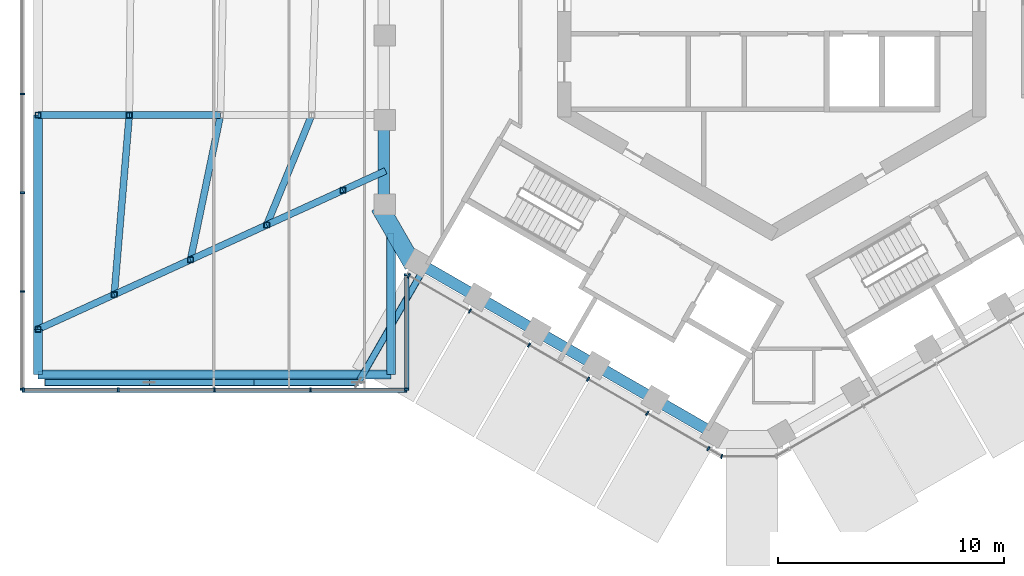
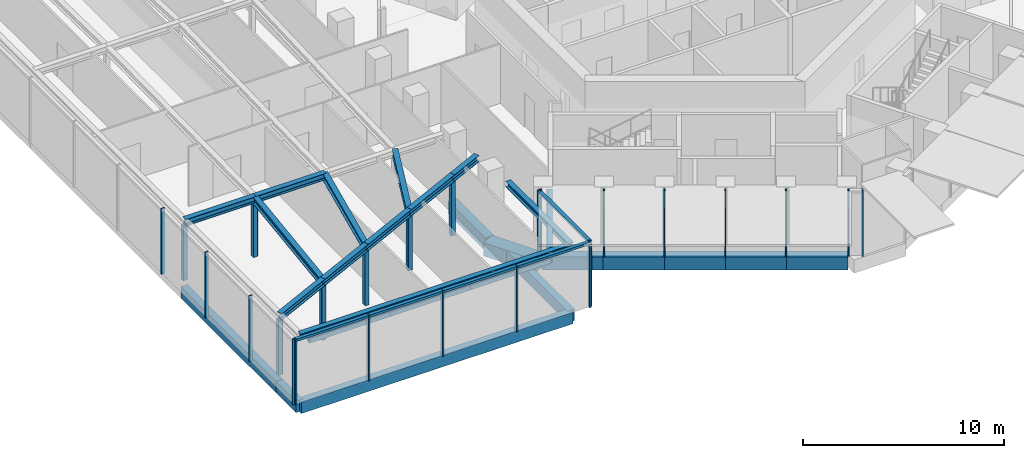
# One storey, part 2 of 24: 31 members, 23 beams, 5 elements without a shape of their own.
"""IFC4 building model written with IfcOpenShell, lengths in metres."""

from ifc_helpers import new_model, si_unit, direction, frame, origin, origin_2d, place, context, subcontext, project, spatial, rectangle, hollow_rectangle, i_section, extrude, material, layer, layer_set, material_profile, profile_set, type_object, element, aggregate, save


model = new_model("IFC4")

# Units and contexts
model_context = context("Model", 3, precision=1e-05, world=origin(), true_north=direction((0.0, 1.0)))
body_context = subcontext(model_context, "Body", "Model", "MODEL_VIEW")
ifc_project = project(units=[si_unit("LENGTHUNIT", "METRE"), si_unit("AREAUNIT", "SQUARE_METRE"), si_unit("VOLUMEUNIT", "CUBIC_METRE"), si_unit("PLANEANGLEUNIT", "RADIAN"), si_unit("MASSUNIT", "GRAM", prefix="KILO")], contexts=[model_context])

# Site, building, storey
site_placement = place(None, origin())
site = spatial("IfcSite", under=ifc_project, at=site_placement, CompositionType="ELEMENT")
building_placement = place(site_placement, origin())
building = spatial("IfcBuilding", under=site, at=building_placement, Name="Ayvan Gate Tower", CompositionType="ELEMENT")
storey_placement = place(building_placement, frame((0.0, 0.0, 210.10009765625)))
storey = spatial("IfcBuildingStorey", under=building, at=storey_placement, Name="L56", CompositionType="ELEMENT", Elevation=210.10009765625)

# Beams
ifc_material_1 = material(Name="Concrete C40/50", Category="concrete")
ifc_material_profile_1 = material_profile(ifc_material_1, rectangle(XDim=0.800048828125, YDim=0.800048828125, at=origin_2d()), Name="RC 800x800")
ifc_profile_set_1 = profile_set([ifc_material_profile_1], Name="Concrete C40/50")
beam_type_1 = type_object("IfcBeamType", Name="Corner spandrel beam RC 800x800 C40/50", PredefinedType="BEAM", material=ifc_profile_set_1)
beam_1_placement = place(storey_placement, frame((-17.38916015625, -9.4482421875, -0.800048828125), z_axis=(0.499990139034, -0.866031096941, 0.0), x_axis=(0.866031096941, 0.499990139034, 0.0)))
element("IfcBeam", 1, at=beam_1_placement, inside=storey, type_object=beam_type_1, Name="SB-L56-24", PredefinedType="BEAM", context=body_context, shape_type="SweptSolid", body=[
    extrude(rectangle(XDim=0.800048828125, YDim=0.800048828125, at=origin_2d()), origin(), (0.0, 0.0, 1.0), 3.0),
])
ifc_material_profile_2 = material_profile(ifc_material_1, rectangle(XDim=0.39990234375, YDim=0.699951171875, at=origin_2d()), Name="RC 400x700")
ifc_profile_set_2 = profile_set([ifc_material_profile_2], Name="Concrete C40/50")
beam_type_2 = type_object("IfcBeamType", Name="Sky bar edge beam RC 400x700 C40/50", PredefinedType="BEAM", material=ifc_profile_set_2)
beam_2_placement = place(storey_placement, frame((-16.884521484375, -10.543212890625, -0.75), z_axis=(0.0, -1.0, 0.0), x_axis=(1.0, 0.0, 0.0)))
element("IfcBeam", 2, at=beam_2_placement, inside=storey, type_object=beam_type_2, Name="EB-B5-L56-1", PredefinedType="BEAM", context=body_context, shape_type="SweptSolid", body=[
    extrude(rectangle(XDim=0.39990234375, YDim=0.699951171875, at=origin_2d()), origin(), (0.0, 0.0, 1.0), 6.356689453125),
])
beam_3_placement = place(storey_placement, frame((-16.884521484375, -16.89990234375, -0.75), z_axis=(-1.0, 0.0, 0.0), x_axis=(0.0, -1.0, 0.0)))
element("IfcBeam", 3, at=beam_3_placement, inside=storey, type_object=beam_type_2, Name="EB-B5-L56-2", PredefinedType="BEAM", context=body_context, shape_type="SweptSolid", body=[
    extrude(rectangle(XDim=0.39990234375, YDim=0.699951171875, at=origin_2d()), origin(), (0.0, 0.0, 1.0), 15.6396484375),
])
beam_4_placement = place(storey_placement, frame((-32.524169921875, -16.89990234375, -0.75), z_axis=(0.0, 1.0, 0.0), x_axis=(-1.0, 0.0, 0.0)))
element("IfcBeam", 4, at=beam_4_placement, inside=storey, type_object=beam_type_2, Name="EB-B5-L56-3", PredefinedType="BEAM", context=body_context, shape_type="SweptSolid", body=[
    extrude(rectangle(XDim=0.39990234375, YDim=0.699951171875, at=origin_2d()), origin(), (0.0, 0.0, 1.0), 1.999755859375),
])
beam_5_placement = place(storey_placement, frame((-32.524169921875, -14.900146484375, -0.75), z_axis=(0.0, 1.0, 0.0), x_axis=(-1.0, 0.0, 0.0)))
element("IfcBeam", 5, at=beam_5_placement, inside=storey, type_object=beam_type_2, Name="EB-B5-L56-4", PredefinedType="BEAM", context=body_context, shape_type="SweptSolid", body=[
    extrude(rectangle(XDim=0.39990234375, YDim=0.699951171875, at=origin_2d()), origin(), (0.0, 0.0, 1.0), 9.5),
])
ifc_material_2 = material(Name="Steel S460ML", Category="steel")
ifc_material_profile_3 = material_profile(ifc_material_2, i_section(OverallWidth=0.300048828125, OverallDepth=0.39990234375, WebThickness=0.013427734375, FlangeThickness=0.02392578125, FilletRadius=0.027099609375, at=origin_2d()), Name="HE 400 B")
ifc_profile_set_3 = profile_set([ifc_material_profile_3], Name="Steel S460ML")
beam_type_3 = type_object("IfcBeamType", Name="Sky bar roof beam B5 HE 400 B", PredefinedType="BEAM", material=ifc_profile_set_3)
beam_6_placement = place(storey_placement, frame((-24.4345703125, -5.39990234375, 3.5), z_axis=(-1.0, 0.0, 0.0), x_axis=(0.0, -1.0, 0.0)))
element("IfcBeam", 6, at=beam_6_placement, inside=storey, type_object=beam_type_3, Name="RB-B5-SBT5-3-3", PredefinedType="BEAM", context=body_context, shape_type="SweptSolid", body=[
    extrude(i_section(OverallWidth=0.300048828125, OverallDepth=0.39990234375, WebThickness=0.013427734375, FlangeThickness=0.02392578125, FilletRadius=0.027099609375, at=origin_2d()), origin(), (0.0, 0.0, 1.0), 4.044921875),
])
beam_7_placement = place(storey_placement, frame((-28.4794921875, -5.39990234375, 3.5), z_axis=(-1.0, 0.0, 0.0), x_axis=(0.0, -1.0, 0.0)))
element("IfcBeam", 7, at=beam_7_placement, inside=storey, type_object=beam_type_3, Name="RB-B5-SBT5-3-4", PredefinedType="BEAM", context=body_context, shape_type="SweptSolid", body=[
    extrude(i_section(OverallWidth=0.300048828125, OverallDepth=0.39990234375, WebThickness=0.013427734375, FlangeThickness=0.02392578125, FilletRadius=0.027099609375, at=origin_2d()), origin(), (0.0, 0.0, 1.0), 4.044677734375),
])
beam_8_placement = place(storey_placement, frame((-17.11474609375, -7.87255859375, 3.5), z_axis=(-0.909834613071, -0.414971055445, 0.0), x_axis=(0.414971055445, -0.909834613071, 0.0)))
element("IfcBeam", 8, at=beam_8_placement, inside=storey, type_object=beam_type_3, Name="RB-B5-SBT5-4-1", PredefinedType="BEAM", context=body_context, shape_type="SweptSolid", body=[
    extrude(i_section(OverallWidth=0.300048828125, OverallDepth=0.39990234375, WebThickness=0.013427734375, FlangeThickness=0.02392578125, FilletRadius=0.027099609375, at=origin_2d()), origin(), (0.0, 0.0, 1.0), 2.077880859375),
])
for number, where, z_axis, x_axis, name in (
    (9, (-19.00537109375, -8.73486328125, 3.5), (-0.909852570049, -0.414931682057, 0.0), (0.414931682057, -0.909852570049, 0.0), "RB-B5-SBT5-4-2"),
    (10, (-22.385009765625, -10.276123046875, 3.5), (-0.909863885062, -0.414906869864, 0.0), (0.414906869864, -0.909863885062, 0.0), "RB-B5-SBT5-4-3"),
    (11, (-25.764892578125, -11.8173828125, 3.5), (-0.909852570049, -0.414931682057, 0.0), (0.414931682057, -0.909852570049, 0.0), "RB-B5-SBT5-4-4"),
    (12, (-29.14453125, -13.358642578125, 3.5), (-0.909852570049, -0.414931682057, 0.0), (0.414931682057, -0.909852570049, 0.0), "RB-B5-SBT5-4-5"),
):
    element("IfcBeam", number, at=place(storey_placement, frame(where, z_axis=z_axis, x_axis=x_axis)), inside=storey, type_object=beam_type_3, Name=name, PredefinedType="BEAM", context=body_context, shape_type="SweptSolid", body=[
        extrude(i_section(OverallWidth=0.300048828125, OverallDepth=0.39990234375, WebThickness=0.013427734375, FlangeThickness=0.02392578125, FilletRadius=0.027099609375, at=origin_2d()), origin(), (0.0, 0.0, 1.0), 3.714599609375),
    ])
beam_9_placement = place(storey_placement, frame((-28.4794921875, -5.39990234375, 3.5), z_axis=(-0.083270636069, -0.996526969614, 0.0), x_axis=(0.996526969614, -0.083270636069, 0.0)))
element("IfcBeam", 13, at=beam_9_placement, inside=storey, type_object=beam_type_3, Name="RX-B5-34-2", PredefinedType="BEAM", context=body_context, shape_type="SweptSolid", body=[
    extrude(i_section(OverallWidth=0.300048828125, OverallDepth=0.39990234375, WebThickness=0.013427734375, FlangeThickness=0.02392578125, FilletRadius=0.027099609375, at=origin_2d()), origin(), (0.0, 0.0, 1.0), 7.986572265625),
])
beam_10_placement = place(storey_placement, frame((-24.4345703125, -5.39990234375, 3.5), z_axis=(-0.202981285873, -0.979182617077, 0.0), x_axis=(0.979182617077, -0.202981285873, 0.0)))
element("IfcBeam", 14, at=beam_10_placement, inside=storey, type_object=beam_type_3, Name="RX-B5-34-3", PredefinedType="BEAM", context=body_context, shape_type="SweptSolid", body=[
    extrude(i_section(OverallWidth=0.300048828125, OverallDepth=0.39990234375, WebThickness=0.013427734375, FlangeThickness=0.02392578125, FilletRadius=0.027099609375, at=origin_2d()), origin(), (0.0, 0.0, 1.0), 6.553955078125),
])
beam_11_placement = place(storey_placement, frame((-20.3896484375, -5.39990234375, 3.5), z_axis=(-0.378721255439, -0.925510783664, 0.0), x_axis=(0.925510783664, -0.378721255439, 0.0)))
element("IfcBeam", 15, at=beam_11_placement, inside=storey, type_object=beam_type_3, Name="RX-B5-34-4", PredefinedType="BEAM", context=body_context, shape_type="SweptSolid", body=[
    extrude(i_section(OverallWidth=0.300048828125, OverallDepth=0.39990234375, WebThickness=0.013427734375, FlangeThickness=0.02392578125, FilletRadius=0.027099609375, at=origin_2d()), origin(), (0.0, 0.0, 1.0), 5.268798828125),
])
ifc_material_profile_4 = material_profile(ifc_material_2, i_section(OverallWidth=0.300048828125, OverallDepth=0.340087890625, WebThickness=0.011962890625, FlangeThickness=0.021484375, FilletRadius=0.027099609375, at=origin_2d()), Name="HE 340 B")
ifc_profile_set_4 = profile_set([ifc_material_profile_4], Name="Steel S460ML")
beam_type_4 = type_object("IfcBeamType", Name="Sky bar roof edge beam B5 HE 340 B", PredefinedType="BEAM", material=ifc_profile_set_4)
beam_12_placement = place(storey_placement, frame((-16.884521484375, -10.632080078125, 3.52978515625), z_axis=(0.0, -1.0, 0.0), x_axis=(1.0, 0.0, 0.0)))
element("IfcBeam", 16, at=beam_12_placement, inside=storey, type_object=beam_type_4, Name="RE-B5-1-1", PredefinedType="BEAM", context=body_context, shape_type="SweptSolid", body=[
    extrude(i_section(OverallWidth=0.300048828125, OverallDepth=0.340087890625, WebThickness=0.011962890625, FlangeThickness=0.021484375, FilletRadius=0.027099609375, at=origin_2d()), origin(), (0.0, 0.0, 1.0), 6.267822265625),
])
beam_13_placement = place(storey_placement, frame((-16.884521484375, -16.89990234375, 3.52978515625), z_axis=(-1.0, 0.0, 0.0), x_axis=(0.0, -1.0, 0.0)))
element("IfcBeam", 17, at=beam_13_placement, inside=storey, type_object=beam_type_4, Name="RE-B5-1-2", PredefinedType="BEAM", context=body_context, shape_type="SweptSolid", body=[
    extrude(i_section(OverallWidth=0.300048828125, OverallDepth=0.340087890625, WebThickness=0.011962890625, FlangeThickness=0.021484375, FilletRadius=0.027099609375, at=origin_2d()), origin(), (0.0, 0.0, 1.0), 15.6396484375),
])

# Members
ifc_material_3 = material(Name="Steel S460NH", Category="steel")
ifc_material_profile_5 = material_profile(ifc_material_3, hollow_rectangle(XDim=0.25, YDim=0.25, WallThickness=0.012451171875, InnerFilletRadius=0.012451171875, OuterFilletRadius=0.018798828125, at=origin_2d()), Name="RHS 250x250x12.5")
ifc_profile_set_5 = profile_set([ifc_material_profile_5], Name="Steel S460NH")
member_type_1 = type_object("IfcMemberType", Name="Sky bar roof post B5 RHS 250x250x12.5", PredefinedType="POST", material=ifc_profile_set_5)
for number, where, z_axis, x_axis, name in (
    (18, (-28.4794921875, -5.39990234375, 0.0), (0.0, 0.0, 1.0), (1.0, 0.0, 0.0), "RP-B5-SBT5-3-3"),
    (19, (-32.524169921875, -5.39990234375, 0.0), (0.0, 0.0, 1.0), (1.0, 0.0, 0.0), "RP-B5-SBT5-3-4"),
    (20, (-19.00537109375, -8.73486328125, 0.0), (0.0, 0.0, 1.0), (1.0, 0.0, 0.0), "RP-B5-SBT5-4-1"),
    (21, (-22.385009765625, -10.276123046875, 0.0), (0.0, 0.0, 1.0), (1.0, 0.0, 0.0), "RP-B5-SBT5-4-2"),
    (22, (-25.764892578125, -11.8173828125, 0.0), (0.0, 0.0, 1.0), (1.0, 0.0, 0.0), "RP-B5-SBT5-4-3"),
    (23, (-29.14453125, -13.358642578125, 0.0), (0.0, 0.0, 1.0), (1.0, 0.0, 0.0), "RP-B5-SBT5-4-4"),
    (24, (-32.524169921875, -14.89990234375, 0.0), (0.0, 0.0, 1.0), (1.0, 0.0, 0.0), "RP-B5-SBT5-4-5"),
):
    element("IfcMember", number, at=place(storey_placement, frame(where, z_axis=z_axis, x_axis=x_axis)), inside=storey, type_object=member_type_1, Name=name, PredefinedType="POST", context=body_context, shape_type="SweptSolid", body=[
        extrude(hollow_rectangle(XDim=0.25, YDim=0.25, WallThickness=0.012451171875, InnerFilletRadius=0.012451171875, OuterFilletRadius=0.018798828125, at=origin_2d()), origin(), (0.0, 0.0, 1.0), 3.2998046875),
    ])
ifc_material_profile_6 = material_profile(ifc_material_3, hollow_rectangle(XDim=0.300048828125, YDim=0.300048828125, WallThickness=0.01611328125, InnerFilletRadius=0.01611328125, OuterFilletRadius=0.02392578125, at=origin_2d()), Name="RHS 300x300x16")
ifc_profile_set_6 = profile_set([ifc_material_profile_6], Name="Steel S460NH")
member_type_2 = type_object("IfcMemberType", Name="Sky bar truss brace B5 RHS 300x300x16", PredefinedType="BRACE", material=ifc_profile_set_6)
member_1_placement = place(storey_placement, frame((-15.36474609375, -12.129150390625, 3.39990234375), z_axis=(-0.500016430238, -0.866015917575, 0.0), x_axis=(0.866015917575, -0.500016430238, 0.0)))
element("IfcMember", 25, at=member_1_placement, inside=storey, type_object=member_type_2, Name="SBX5-A-TC-1", PredefinedType="CHORD", context=body_context, shape_type="SweptSolid", body=[
    extrude(hollow_rectangle(XDim=0.300048828125, YDim=0.300048828125, WallThickness=0.01611328125, InnerFilletRadius=0.01611328125, OuterFilletRadius=0.02392578125, at=origin_2d()), origin(), (0.0, 0.0, 1.0), 5.918701171875),
])
for number, where, z_axis, x_axis, name in (
    (26, (-18.32421875, -17.2548828125, 3.39990234375), (-1.0, 0.0, 0.0), (0.0, -1.0, 0.0), "SBX5-A-TC-2"),
    (27, (-22.95751953125, -17.2548828125, 3.39990234375), (-1.0, 0.0, 0.0), (0.0, -1.0, 0.0), "SBX5-A-TC-3"),
):
    element("IfcMember", number, at=place(storey_placement, frame(where, z_axis=z_axis, x_axis=x_axis)), inside=storey, type_object=member_type_2, Name=name, PredefinedType="CHORD", context=body_context, shape_type="SweptSolid", body=[
        extrude(hollow_rectangle(XDim=0.300048828125, YDim=0.300048828125, WallThickness=0.01611328125, InnerFilletRadius=0.01611328125, OuterFilletRadius=0.02392578125, at=origin_2d()), origin(), (0.0, 0.0, 1.0), 4.63330078125),
    ])
member_2_placement = place(storey_placement, frame((-27.5908203125, -17.2548828125, 3.39990234375), z_axis=(-1.0, 0.0, 0.0), x_axis=(0.0, -1.0, 0.0)))
element("IfcMember", 28, at=member_2_placement, inside=storey, type_object=member_type_2, Name="SBX5-A-TC-4", PredefinedType="CHORD", context=body_context, shape_type="SweptSolid", body=[
    extrude(hollow_rectangle(XDim=0.300048828125, YDim=0.300048828125, WallThickness=0.01611328125, InnerFilletRadius=0.01611328125, OuterFilletRadius=0.02392578125, at=origin_2d()), origin(), (0.0, 0.0, 1.0), 4.633544921875),
])

# Beams
ifc_material_profile_7 = material_profile(ifc_material_1, rectangle(XDim=0.5, YDim=0.800048828125, at=origin_2d()), Name="RC 500x800")
ifc_profile_set_7 = profile_set([ifc_material_profile_7], Name="Concrete C40/50")
beam_type_5 = type_object("IfcBeamType", Name="Spandrel beam RC 500x800 C40/50", PredefinedType="BEAM", material=ifc_profile_set_7)
beam_14_placement = place(storey_placement, frame((-17.198486328125, -5.60302734375, -0.800048828125), z_axis=(0.0, -1.0, 0.0), x_axis=(1.0, 0.0, 0.0)))
element("IfcBeam", 29, at=beam_14_placement, inside=storey, type_object=beam_type_5, Name="SB-L56-23", PredefinedType="BEAM", context=body_context, shape_type="SweptSolid", body=[
    extrude(rectangle(XDim=0.5, YDim=0.800048828125, at=origin_2d()), origin(), (0.0, 0.0, 1.0), 3.7353515625),
])
for number, where, z_axis, x_axis, name in (
    (30, (-15.698486328125, -11.9365234375, -0.800048828125), (0.866028335764, -0.499994921628, 0.0), (0.499994921628, 0.866028335764, 0.0), "SB-L56-25"),
    (31, (-13.056396484375, -13.4619140625, -0.800048828125), (0.866028335764, -0.499994921628, 0.0), (0.499994921628, 0.866028335764, 0.0), "SB-L56-26"),
    (32, (-10.414306640625, -14.9873046875, -0.800048828125), (0.866028335764, -0.499994921628, 0.0), (0.499994921628, 0.866028335764, 0.0), "SB-L56-27"),
    (33, (-7.772216796875, -16.5126953125, -0.800048828125), (0.866028335764, -0.499994921628, 0.0), (0.499994921628, 0.866028335764, 0.0), "SB-L56-28"),
    (34, (-5.130126953125, -18.0380859375, -0.800048828125), (0.866028335764, -0.499994921628, 0.0), (0.499994921628, 0.866028335764, 0.0), "SB-L56-29"),
):
    element("IfcBeam", number, at=place(storey_placement, frame(where, z_axis=z_axis, x_axis=x_axis)), inside=storey, type_object=beam_type_5, Name=name, PredefinedType="BEAM", context=body_context, shape_type="SweptSolid", body=[
        extrude(rectangle(XDim=0.5, YDim=0.800048828125, at=origin_2d()), origin(), (0.0, 0.0, 1.0), 3.05078125),
    ])

# Curtain wall, members
ifc_material_4 = material(Name="Bronze anodised aluminium", Category="aluminium")
ifc_layer_1 = layer(ifc_material_4, 0.199951171875)
ifc_layer_set_1 = layer_set([ifc_layer_1], Name="Bronze anodised aluminium")
curtain_wall_type_1 = type_object("IfcCurtainWallType", Name="Stick curtain wall CW-2", PredefinedType="NOTDEFINED", material=ifc_layer_set_1)
curtain_wall_1_placement = place(storey_placement, origin())
curtain_wall_1 = element("IfcCurtainWall", 35, at=curtain_wall_1_placement, inside=storey, type_object=curtain_wall_type_1, Name="Stick curtain wall CW-2 L56", PredefinedType="NOTDEFINED")
ifc_material_profile_8 = material_profile(ifc_material_4, rectangle(XDim=0.199951171875, YDim=0.070068359375, at=origin_2d()), Name="Stick curtain wall CW-2 mullion 200 x 70")
ifc_profile_set_8 = profile_set([ifc_material_profile_8], Name="Bronze anodised aluminium")
member_type_3 = type_object("IfcMemberType", Name="Stick curtain wall CW-2 mullion 200 x 70", PredefinedType="MULLION", material=ifc_profile_set_8)
member_3_placement = place(storey_placement, frame((-16.084228515625, -12.522216796875, 0.0), z_axis=(0.0, 0.0, 1.0), x_axis=(-0.5, -0.866025403784, 0.0)))
member_3 = element("IfcMember", 36, at=member_3_placement, type_object=member_type_3, Name="CW-2 mullion 1", PredefinedType="MULLION", context=body_context, shape_type="SweptSolid", body=[
    extrude(rectangle(XDim=0.199951171875, YDim=0.070068359375, at=origin_2d()), origin(), (0.0, 0.0, 1.0), 4.0),
])
member_4_placement = place(storey_placement, frame((-13.376953125, -14.085205078125, 0.0), z_axis=(0.0, 0.0, 1.0), x_axis=(-0.5, -0.866025403784, 0.0)))
member_4 = element("IfcMember", 37, at=member_4_placement, type_object=member_type_3, Name="CW-2 mullion 2", PredefinedType="MULLION", context=body_context, shape_type="SweptSolid", body=[
    extrude(rectangle(XDim=0.199951171875, YDim=0.070068359375, at=origin_2d()), origin(), (0.0, 0.0, 1.0), 4.0),
])
member_5_placement = place(storey_placement, frame((-10.754638671875, -15.59912109375, 0.0), z_axis=(0.0, 0.0, 1.0), x_axis=(-0.5, -0.866025403784, 0.0)))
member_5 = element("IfcMember", 38, at=member_5_placement, type_object=member_type_3, Name="CW-2 mullion 3", PredefinedType="MULLION", context=body_context, shape_type="SweptSolid", body=[
    extrude(rectangle(XDim=0.199951171875, YDim=0.070068359375, at=origin_2d()), origin(), (0.0, 0.0, 1.0), 4.0),
])
member_6_placement = place(storey_placement, frame((-8.13232421875, -17.113037109375, 0.0), z_axis=(0.0, 0.0, 1.0), x_axis=(-0.5, -0.866025403784, 0.0)))
member_6 = element("IfcMember", 39, at=member_6_placement, type_object=member_type_3, Name="CW-2 mullion 4", PredefinedType="MULLION", context=body_context, shape_type="SweptSolid", body=[
    extrude(rectangle(XDim=0.199951171875, YDim=0.070068359375, at=origin_2d()), origin(), (0.0, 0.0, 1.0), 4.0),
])
member_7_placement = place(storey_placement, frame((-5.509033203125, -18.627685546875, 0.0), z_axis=(0.0, 0.0, 1.0), x_axis=(-0.5, -0.866025403784, 0.0)))
member_7 = element("IfcMember", 40, at=member_7_placement, type_object=member_type_3, Name="CW-2 mullion 5", PredefinedType="MULLION", context=body_context, shape_type="SweptSolid", body=[
    extrude(rectangle(XDim=0.199951171875, YDim=0.070068359375, at=origin_2d()), origin(), (0.0, 0.0, 1.0), 4.0),
])
member_8_placement = place(storey_placement, frame((-2.802490234375, -20.1904296875, 0.0), z_axis=(0.0, 0.0, 1.0), x_axis=(-0.5, -0.866025403784, 0.0)))
member_8 = element("IfcMember", 41, at=member_8_placement, type_object=member_type_3, Name="CW-2 mullion 6", PredefinedType="MULLION", context=body_context, shape_type="SweptSolid", body=[
    extrude(rectangle(XDim=0.199951171875, YDim=0.070068359375, at=origin_2d()), origin(), (0.0, 0.0, 1.0), 4.0),
])
aggregate(curtain_wall_1, [member_3, member_4, member_5, member_6, member_7, member_8])

ifc_layer_2 = layer(ifc_material_4, 0.199951171875)
ifc_layer_set_2 = layer_set([ifc_layer_2], Name="Bronze anodised aluminium")
curtain_wall_type_2 = type_object("IfcCurtainWallType", Name="Stick curtain wall CW-4", PredefinedType="NOTDEFINED", material=ifc_layer_set_2)
curtain_wall_2_placement = place(storey_placement, origin())
curtain_wall_2 = element("IfcCurtainWall", 42, at=curtain_wall_2_placement, inside=storey, type_object=curtain_wall_type_2, Name="Stick curtain wall CW-4 L56", PredefinedType="NOTDEFINED")
ifc_material_profile_9 = material_profile(ifc_material_4, rectangle(XDim=0.199951171875, YDim=0.080078125, at=origin_2d()), Name="Stick curtain wall CW-4 mullion 200 x 80")
ifc_profile_set_9 = profile_set([ifc_material_profile_9], Name="Bronze anodised aluminium")
member_type_4 = type_object("IfcMemberType", Name="Stick curtain wall CW-4 mullion 200 x 80", PredefinedType="MULLION", material=ifc_profile_set_9)
member_9_placement = place(storey_placement, frame((-33.224365234375, -4.466552734375, 0.0), z_axis=(0.0, 0.0, 1.0), x_axis=(-1.0, 0.0, 0.0)))
member_9 = element("IfcMember", 43, at=member_9_placement, type_object=member_type_4, Name="CW-4 mullion 7", PredefinedType="MULLION", context=body_context, shape_type="SweptSolid", body=[
    extrude(rectangle(XDim=0.199951171875, YDim=0.080078125, at=origin_2d()), origin(), (0.0, 0.0, 1.0), 4.0),
])
member_10_placement = place(storey_placement, frame((-33.224365234375, -8.844482421875, 0.0), z_axis=(0.0, 0.0, 1.0), x_axis=(-1.0, 0.0, 0.0)))
member_10 = element("IfcMember", 44, at=member_10_placement, type_object=member_type_4, Name="CW-4 mullion 8", PredefinedType="MULLION", context=body_context, shape_type="SweptSolid", body=[
    extrude(rectangle(XDim=0.199951171875, YDim=0.080078125, at=origin_2d()), origin(), (0.0, 0.0, 1.0), 4.0),
])
member_11_placement = place(storey_placement, frame((-33.224365234375, -13.22216796875, 0.0), z_axis=(0.0, 0.0, 1.0), x_axis=(-1.0, 0.0, 0.0)))
member_11 = element("IfcMember", 45, at=member_11_placement, type_object=member_type_4, Name="CW-4 mullion 9", PredefinedType="MULLION", context=body_context, shape_type="SweptSolid", body=[
    extrude(rectangle(XDim=0.199951171875, YDim=0.080078125, at=origin_2d()), origin(), (0.0, 0.0, 1.0), 4.0),
])
member_12_placement = place(storey_placement, frame((-33.224365234375, -17.56005859375, 0.0), z_axis=(0.0, 0.0, 1.0), x_axis=(-1.0, 0.0, 0.0)))
member_12 = element("IfcMember", 46, at=member_12_placement, type_object=member_type_4, Name="CW-4 mullion 10", PredefinedType="MULLION", context=body_context, shape_type="SweptSolid", body=[
    extrude(rectangle(XDim=0.199951171875, YDim=0.080078125, at=origin_2d()), origin(), (0.0, 0.0, 1.0), 4.0),
])
aggregate(curtain_wall_2, [member_9, member_10, member_11, member_12])

curtain_wall_3_placement = place(storey_placement, origin())
curtain_wall_3 = element("IfcCurtainWall", 47, at=curtain_wall_3_placement, inside=storey, type_object=curtain_wall_type_2, Name="Stick curtain wall CW-4 L56", PredefinedType="NOTDEFINED")
member_13_placement = place(storey_placement, frame((-33.184326171875, -17.60009765625, 0.0), z_axis=(0.0, 0.0, 1.0), x_axis=(0.0, -1.0, 0.0)))
member_13 = element("IfcMember", 48, at=member_13_placement, type_object=member_type_4, Name="CW-4 mullion 1", PredefinedType="MULLION", context=body_context, shape_type="SweptSolid", body=[
    extrude(rectangle(XDim=0.199951171875, YDim=0.080078125, at=origin_2d()), origin(), (0.0, 0.0, 1.0), 4.0),
])
member_14_placement = place(storey_placement, frame((-28.96435546875, -17.60009765625, 0.0), z_axis=(0.0, 0.0, 1.0), x_axis=(0.0, -1.0, 0.0)))
member_14 = element("IfcMember", 49, at=member_14_placement, type_object=member_type_4, Name="CW-4 mullion 2", PredefinedType="MULLION", context=body_context, shape_type="SweptSolid", body=[
    extrude(rectangle(XDim=0.199951171875, YDim=0.080078125, at=origin_2d()), origin(), (0.0, 0.0, 1.0), 4.0),
])
member_15_placement = place(storey_placement, frame((-24.704345703125, -17.60009765625, 0.0), z_axis=(0.0, 0.0, 1.0), x_axis=(0.0, -1.0, 0.0)))
member_15 = element("IfcMember", 50, at=member_15_placement, type_object=member_type_4, Name="CW-4 mullion 3", PredefinedType="MULLION", context=body_context, shape_type="SweptSolid", body=[
    extrude(rectangle(XDim=0.199951171875, YDim=0.080078125, at=origin_2d()), origin(), (0.0, 0.0, 1.0), 4.0),
])
member_16_placement = place(storey_placement, frame((-20.444580078125, -17.60009765625, 0.0), z_axis=(0.0, 0.0, 1.0), x_axis=(0.0, -1.0, 0.0)))
member_16 = element("IfcMember", 51, at=member_16_placement, type_object=member_type_4, Name="CW-4 mullion 4", PredefinedType="MULLION", context=body_context, shape_type="SweptSolid", body=[
    extrude(rectangle(XDim=0.199951171875, YDim=0.080078125, at=origin_2d()), origin(), (0.0, 0.0, 1.0), 4.0),
])
member_17_placement = place(storey_placement, frame((-16.224609375, -17.60009765625, 0.0), z_axis=(0.0, 0.0, 1.0), x_axis=(0.0, -1.0, 0.0)))
member_17 = element("IfcMember", 52, at=member_17_placement, type_object=member_type_4, Name="CW-4 mullion 5", PredefinedType="MULLION", context=body_context, shape_type="SweptSolid", body=[
    extrude(rectangle(XDim=0.199951171875, YDim=0.080078125, at=origin_2d()), origin(), (0.0, 0.0, 1.0), 4.0),
])

curtain_wall_4_placement = place(storey_placement, origin())
curtain_wall_4 = element("IfcCurtainWall", 53, at=curtain_wall_4_placement, inside=storey, type_object=curtain_wall_type_2, Name="Stick curtain wall CW-4 L56", PredefinedType="NOTDEFINED")
member_18_placement = place(storey_placement, frame((-16.1845703125, -17.56005859375, 0.0), z_axis=(0.0, 0.0, 1.0), x_axis=(1.0, 0.0, 0.0)))
member_18 = element("IfcMember", 54, at=member_18_placement, type_object=member_type_4, Name="CW-4 mullion 1", PredefinedType="MULLION", context=body_context, shape_type="SweptSolid", body=[
    extrude(rectangle(XDim=0.199951171875, YDim=0.080078125, at=origin_2d()), origin(), (0.0, 0.0, 1.0), 4.0),
])
member_19_placement = place(storey_placement, frame((-16.1845703125, -12.474365234375, 0.0), z_axis=(0.0, 0.0, 1.0), x_axis=(1.0, 0.0, 0.0)))
member_19 = element("IfcMember", 55, at=member_19_placement, type_object=member_type_4, Name="CW-4 mullion 2", PredefinedType="MULLION", context=body_context, shape_type="SweptSolid", body=[
    extrude(rectangle(XDim=0.199951171875, YDim=0.080078125, at=origin_2d()), origin(), (0.0, 0.0, 1.0), 4.0),
])

# Member
ifc_material_profile_10 = material_profile(ifc_material_4, rectangle(XDim=0.199951171875, YDim=0.139892578125, at=origin_2d()), Name="Stick curtain wall CW-4 transom 200 x 140")
ifc_profile_set_10 = profile_set([ifc_material_profile_10], Name="Bronze anodised aluminium")
member_type_5 = type_object("IfcMemberType", Name="Stick curtain wall CW-4 transom 200 x 140", PredefinedType="USERDEFINED", material=ifc_profile_set_10)
member_20_placement = place(storey_placement, frame((-33.184326171875, -17.60009765625, 3.929931640625), z_axis=(1.0, 0.0, 0.0), x_axis=(0.0, 1.0, 0.0)))
member_20 = element("IfcMember", 56, at=member_20_placement, type_object=member_type_5, Name="CW-4 transom 1", ObjectType="TRANSOM", PredefinedType="USERDEFINED", context=body_context, shape_type="SweptSolid", body=[
    extrude(rectangle(XDim=0.199951171875, YDim=0.139892578125, at=origin_2d()), origin(), (0.0, 0.0, 1.0), 16.959716796875),
])

aggregate(curtain_wall_3, [member_13, member_14, member_15, member_16, member_17, member_20])

member_21_placement = place(storey_placement, frame((-16.1845703125, -17.56005859375, 3.929931640625), z_axis=(0.0, 1.0, 0.0), x_axis=(-1.0, 0.0, 0.0)))
member_21 = element("IfcMember", 57, at=member_21_placement, type_object=member_type_5, Name="CW-4 transom 1", ObjectType="TRANSOM", PredefinedType="USERDEFINED", context=body_context, shape_type="SweptSolid", body=[
    extrude(rectangle(XDim=0.199951171875, YDim=0.139892578125, at=origin_2d()), origin(), (0.0, 0.0, 1.0), 5.085693359375),
])

aggregate(curtain_wall_4, [member_18, member_19, member_21])

# Curtain wall, member
ifc_layer_3 = layer(ifc_material_4, 0.199951171875)
ifc_layer_set_3 = layer_set([ifc_layer_3], Name="Bronze anodised aluminium")
curtain_wall_type_3 = type_object("IfcCurtainWallType", Name="Stick curtain wall CW-6", PredefinedType="NOTDEFINED", material=ifc_layer_set_3)
curtain_wall_5_placement = place(storey_placement, origin())
curtain_wall_5 = element("IfcCurtainWall", 58, at=curtain_wall_5_placement, inside=storey, type_object=curtain_wall_type_3, Name="Stick curtain wall CW-6 L56", PredefinedType="NOTDEFINED")
ifc_material_profile_11 = material_profile(ifc_material_4, rectangle(XDim=0.199951171875, YDim=0.050048828125, at=origin_2d()), Name="Stick curtain wall CW-6 mullion 200 x 50")
ifc_profile_set_11 = profile_set([ifc_material_profile_11], Name="Bronze anodised aluminium")
member_type_6 = type_object("IfcMemberType", Name="Stick curtain wall CW-6 mullion 200 x 50", PredefinedType="MULLION", material=ifc_profile_set_11)
member_22_placement = place(storey_placement, frame((-2.209228515625, -20.53271484375, 0.0), z_axis=(0.0, 0.0, 1.0), x_axis=(-0.258819045103, -0.965925826289, 0.0)))
member_22 = element("IfcMember", 59, at=member_22_placement, type_object=member_type_6, Name="CW-6 mullion 2", PredefinedType="MULLION", context=body_context, shape_type="SweptSolid", body=[
    extrude(rectangle(XDim=0.199951171875, YDim=0.050048828125, at=origin_2d()), origin(), (0.0, 0.0, 1.0), 4.0),
])
aggregate(curtain_wall_5, [member_22])

save(model, "model.ifc")
